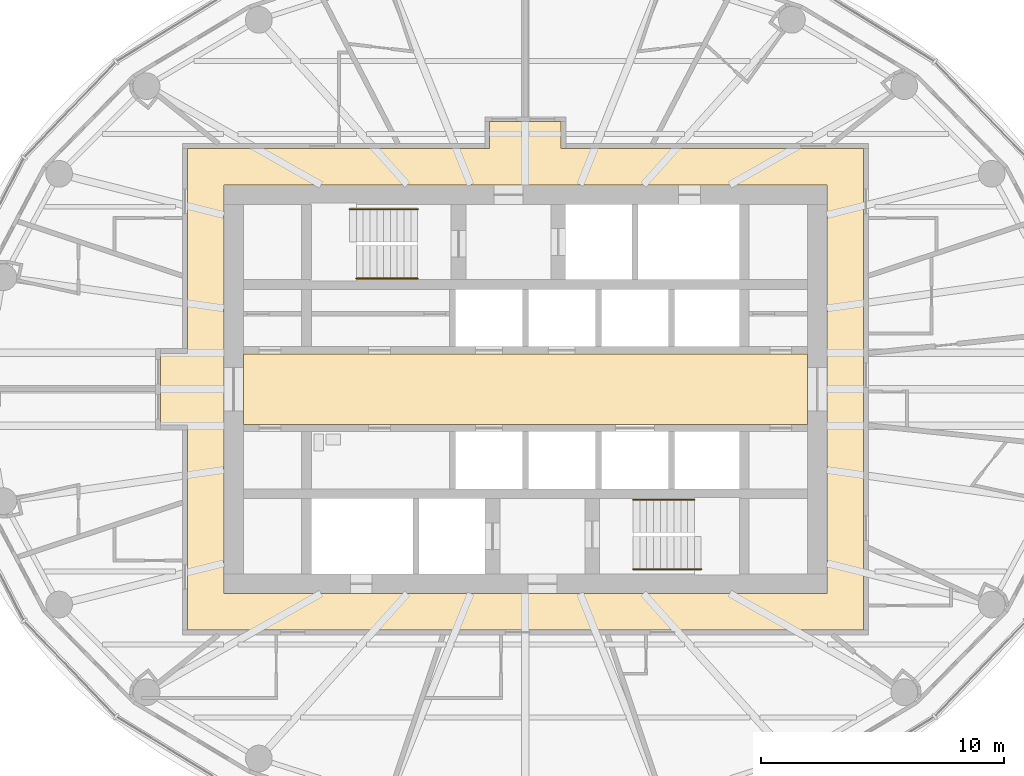
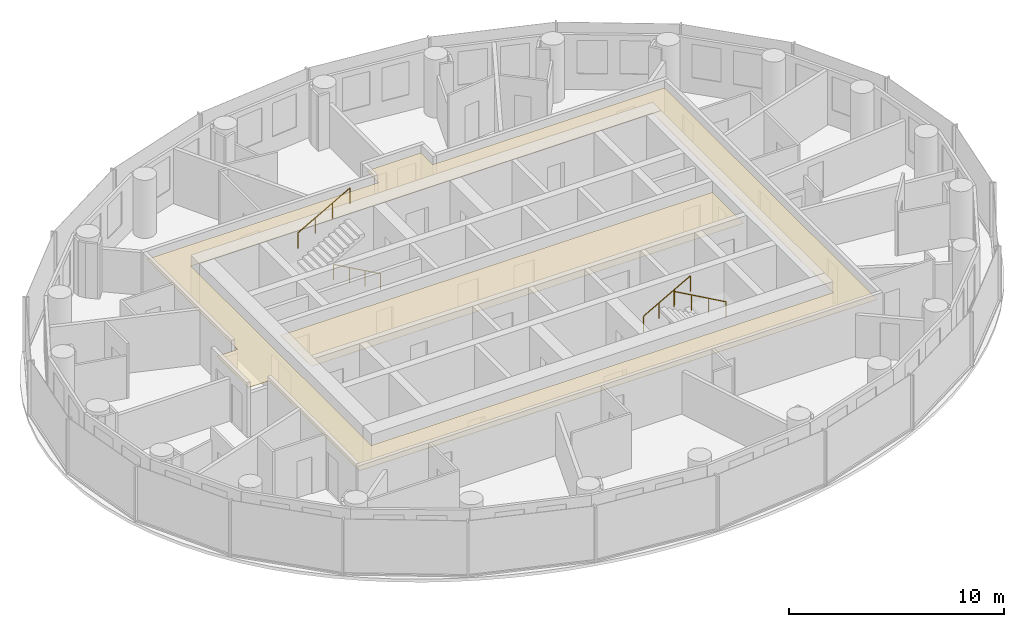
# One storey, part 15 of 16: 4 railings, 2 coverings.
"""IFC4 building model written with IfcOpenShell, lengths in metres."""

from ifc_helpers import new_model, si_unit, direction, frame, origin, origin_2d, place, context, subcontext, project, spatial, polyline, circle, outline, extrude, material, layer, layer_set, type_object, element, save


model = new_model("IFC4")

# Units and contexts
model_context = context("Model", 3, precision=1e-05, world=origin(), true_north=direction((0.0, 1.0)))
body_context = subcontext(model_context, "Body", "Model", "MODEL_VIEW")
ifc_project = project(units=[si_unit("LENGTHUNIT", "METRE"), si_unit("AREAUNIT", "SQUARE_METRE"), si_unit("VOLUMEUNIT", "CUBIC_METRE"), si_unit("PLANEANGLEUNIT", "RADIAN"), si_unit("MASSUNIT", "GRAM", prefix="KILO")], contexts=[model_context])

# Site, building, storey
site_placement = place(None, origin())
site = spatial("IfcSite", under=ifc_project, at=site_placement, CompositionType="ELEMENT")
building_placement = place(site_placement, origin())
building = spatial("IfcBuilding", under=site, at=building_placement, Name="Hankou Lantern Tower", CompositionType="ELEMENT")
storey_placement = place(building_placement, frame((0.0, 0.0, 166.5)))
storey = spatial("IfcBuildingStorey", under=building, at=storey_placement, Name="L44", CompositionType="ELEMENT", Elevation=166.5)

# Coverings
ifc_material_1 = material(Name="Black painted aluminium linear ceiling panels", Category="aluminium")
ifc_layer_1 = layer(ifc_material_1, 0.02490234375)
ifc_layer_set_1 = layer_set([ifc_layer_1], Name="Black painted aluminium linear ceiling panels")
covering_type_1 = type_object("IfcCoveringType", Name="CL1 CORRIDOR CEILING 25", PredefinedType="CEILING", material=ifc_layer_set_1)
covering_1_placement = place(storey_placement, frame((0.0, 0.0, 2.64501953125)))
element("IfcCovering", 1, at=covering_1_placement, inside=storey, type_object=covering_type_1, Name="Corridor ceiling L44", PredefinedType="CEILING", context=body_context, shape_type="SweptSolid", body=[
    extrude(outline(polyline([(1.469970703125, 9.89990234375), (1.469970703125, 11.0), (-1.469970703125, 11.0), (-1.469970703125, 9.89990234375), (-13.89990234375, 9.89990234375), (-13.89990234375, 1.469970703125), (-15.0, 1.469970703125), (-15.0, -1.469970703125), (-13.89990234375, -1.469970703125), (-13.89990234375, -9.89990234375), (13.89990234375, -9.89990234375), (13.89990234375, 9.89990234375), (1.469970703125, 9.89990234375)]), holes=[polyline([(-12.39990234375, 8.39990234375), (12.39990234375, 8.39990234375), (12.39990234375, -8.39990234375), (-12.39990234375, -8.39990234375), (-12.39990234375, 8.39990234375)])]), origin(), (0.0, 0.0, 1.0), 0.02490234375),
])
ifc_material_2 = material(Name="Perforated black aluminium acoustic tray ceiling", Category="aluminium")
ifc_layer_2 = layer(ifc_material_2, 0.014892578125)
ifc_layer_set_2 = layer_set([ifc_layer_2], Name="Perforated black aluminium acoustic tray ceiling")
covering_type_2 = type_object("IfcCoveringType", Name="CL2 LIFT LOBBY CEILING 15", PredefinedType="CEILING", material=ifc_layer_set_2)
covering_2_placement = place(storey_placement, frame((0.0, 0.0, 2.655029296875)))
element("IfcCovering", 2, at=covering_2_placement, inside=storey, type_object=covering_type_2, Name="Lift lobby ceiling L44", PredefinedType="CEILING", context=body_context, shape_type="SweptSolid", body=[
    extrude(outline(polyline([(-11.60009765625, -1.449951171875), (11.60009765625, -1.449951171875), (11.60009765625, 1.449951171875), (-11.60009765625, 1.449951171875), (-11.60009765625, -1.449951171875)])), origin(), (0.0, 0.0, 1.0), 0.014892578125),
])

# Railings
ifc_material_3 = material(Name="Steel handrail", Category="steel")
railing_type = type_object("IfcRailingType", Name="HR1 STAIR HANDRAIL", PredefinedType="HANDRAIL", material=ifc_material_3)
railing_1_placement = place(storey_placement, frame((-4.429931640625, 4.550048828125, 0.89990234375)))
element("IfcRailing", 3, at=railing_1_placement, inside=storey, type_object=railing_type, Name="Handrail stair STA L44 flight 1", PredefinedType="HANDRAIL", context=body_context, shape_type="SweptSolid", body=[
    extrude(circle(Radius=0.02392578125, at=origin_2d()), frame((0.0, 0.0, 0.8759765625), z_axis=(-0.872048945198, 0.0, 0.489418672692), x_axis=(0.0, -1.0, 0.0)), (0.0, 0.0, 1.0), 2.8896484375),
    extrude(circle(Radius=0.02099609375, at=origin_2d()), origin(), (0.0, 0.0, 1.0), 0.851806640625),
    extrude(circle(Radius=0.02099609375, at=origin_2d()), frame((-0.840087890625, 0.0, 0.471435546875)), (0.0, 0.0, 1.0), 0.851806640625),
    extrude(circle(Radius=0.02099609375, at=origin_2d()), frame((-1.679931640625, 0.0, 0.94287109375)), (0.0, 0.0, 1.0), 0.851806640625),
    extrude(circle(Radius=0.02099609375, at=origin_2d()), frame((-2.52001953125, 0.0, 1.414306640625)), (0.0, 0.0, 1.0), 0.851806640625),
])
railing_2_placement = place(storey_placement, frame((-7.22998046875, 7.39990234375, 2.471435546875)))
element("IfcRailing", 4, at=railing_2_placement, inside=storey, type_object=railing_type, Name="Handrail stair STA L44 flight 2", PredefinedType="HANDRAIL", context=body_context, shape_type="SweptSolid", body=[
    extrude(circle(Radius=0.02392578125, at=origin_2d()), frame((0.0, 0.0, 0.8759765625), z_axis=(0.872040151574, 0.0, 0.489434340891), x_axis=(0.0, 1.0, 0.0)), (0.0, 0.0, 1.0), 3.2109375),
    extrude(circle(Radius=0.02099609375, at=origin_2d()), origin(), (0.0, 0.0, 1.0), 0.851806640625),
    extrude(circle(Radius=0.02099609375, at=origin_2d()), frame((0.933349609375, 0.0, 0.52392578125)), (0.0, 0.0, 1.0), 0.851806640625),
    extrude(circle(Radius=0.02099609375, at=origin_2d()), frame((1.86669921875, 0.0, 1.047607421875)), (0.0, 0.0, 1.0), 0.851806640625),
    extrude(circle(Radius=0.02099609375, at=origin_2d()), frame((2.800048828125, 0.0, 1.571533203125)), (0.0, 0.0, 1.0), 0.851806640625),
])
railing_3_placement = place(storey_placement, frame((4.429931640625, -4.550048828125, 0.89990234375)))
element("IfcRailing", 5, at=railing_3_placement, inside=storey, type_object=railing_type, Name="Handrail stair STB L44 flight 1", PredefinedType="HANDRAIL", context=body_context, shape_type="SweptSolid", body=[
    extrude(circle(Radius=0.02392578125, at=origin_2d()), frame((0.0, 0.0, 0.8759765625), z_axis=(0.872048945198, 0.0, 0.489418672692), x_axis=(0.0, 1.0, 0.0)), (0.0, 0.0, 1.0), 2.8896484375),
    extrude(circle(Radius=0.02099609375, at=origin_2d()), origin(), (0.0, 0.0, 1.0), 0.851806640625),
    extrude(circle(Radius=0.02099609375, at=origin_2d()), frame((0.840087890625, 0.0, 0.471435546875)), (0.0, 0.0, 1.0), 0.851806640625),
    extrude(circle(Radius=0.02099609375, at=origin_2d()), frame((1.679931640625, 0.0, 0.94287109375)), (0.0, 0.0, 1.0), 0.851806640625),
    extrude(circle(Radius=0.02099609375, at=origin_2d()), frame((2.52001953125, 0.0, 1.414306640625)), (0.0, 0.0, 1.0), 0.851806640625),
])
railing_4_placement = place(storey_placement, frame((7.22998046875, -7.39990234375, 2.471435546875)))
element("IfcRailing", 6, at=railing_4_placement, inside=storey, type_object=railing_type, Name="Handrail stair STB L44 flight 2", PredefinedType="HANDRAIL", context=body_context, shape_type="SweptSolid", body=[
    extrude(circle(Radius=0.02392578125, at=origin_2d()), frame((0.0, 0.0, 0.8759765625), z_axis=(-0.872040151574, 0.0, 0.489434340891), x_axis=(0.0, -1.0, 0.0)), (0.0, 0.0, 1.0), 3.2109375),
    extrude(circle(Radius=0.02099609375, at=origin_2d()), origin(), (0.0, 0.0, 1.0), 0.851806640625),
    extrude(circle(Radius=0.02099609375, at=origin_2d()), frame((-0.933349609375, 0.0, 0.52392578125)), (0.0, 0.0, 1.0), 0.851806640625),
    extrude(circle(Radius=0.02099609375, at=origin_2d()), frame((-1.86669921875, 0.0, 1.047607421875)), (0.0, 0.0, 1.0), 0.851806640625),
    extrude(circle(Radius=0.02099609375, at=origin_2d()), frame((-2.800048828125, 0.0, 1.571533203125)), (0.0, 0.0, 1.0), 0.851806640625),
])

save(model, "model.ifc")
